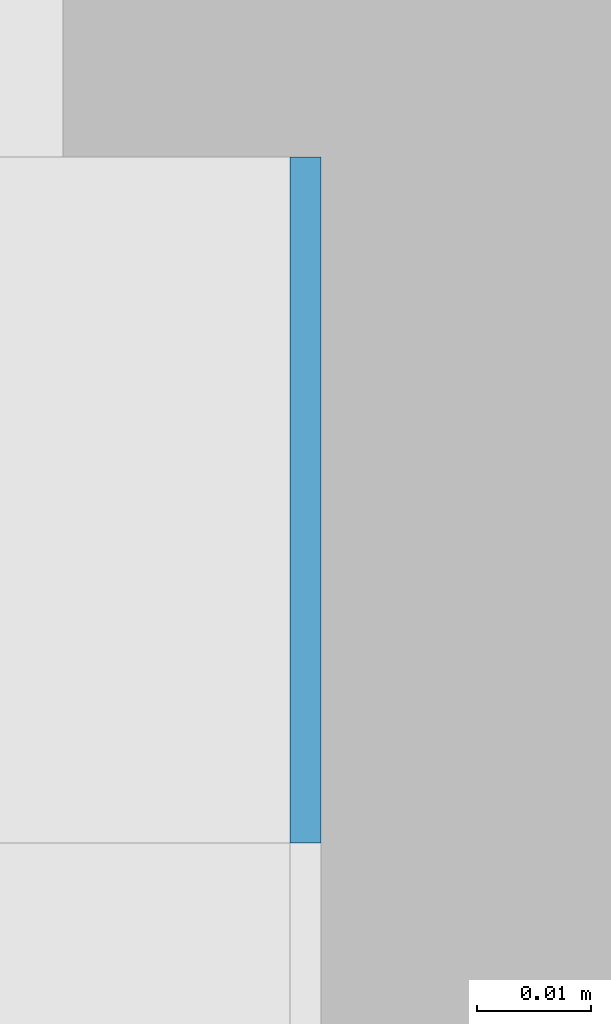
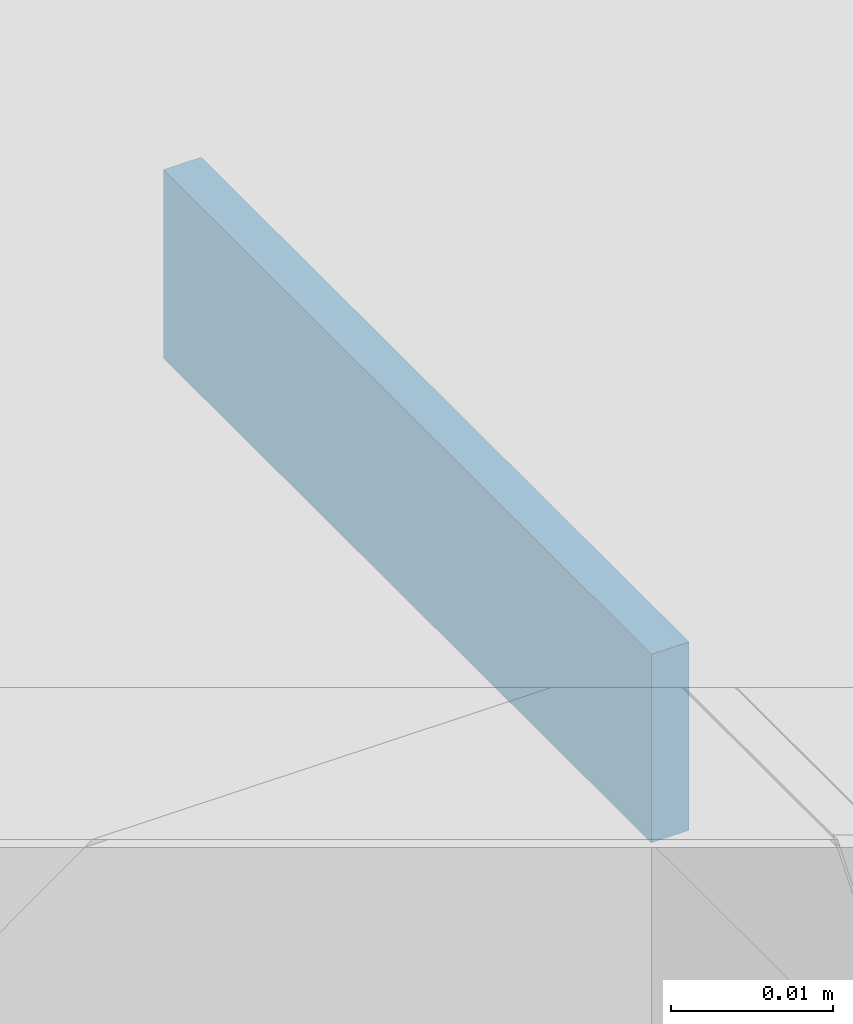
# One storey, part 333 of 646: 1 discrete accessory.
"""IFC4 building model written with IfcOpenShell, lengths in metres."""

from ifc_helpers import new_model, si_unit, direction, frame, origin, origin_2d, place, context, subcontext, project, spatial, rectangle, extrude, material, type_object, element, save


model = new_model("IFC4")

# Units and contexts
model_context = context("Model", 3, precision=1e-05, world=origin(), true_north=direction((0.0, 1.0)))
body_context = subcontext(model_context, "Body", "Model", "MODEL_VIEW")
ifc_project = project(units=[si_unit("LENGTHUNIT", "METRE"), si_unit("AREAUNIT", "SQUARE_METRE"), si_unit("VOLUMEUNIT", "CUBIC_METRE"), si_unit("PLANEANGLEUNIT", "RADIAN"), si_unit("MASSUNIT", "GRAM", prefix="KILO")], contexts=[model_context])

# Site, building, storey
site_placement = place(None, origin())
site = spatial("IfcSite", under=ifc_project, at=site_placement, CompositionType="ELEMENT")
building_placement = place(site_placement, origin())
building = spatial("IfcBuilding", under=site, at=building_placement, Name="Silverbay Arena", CompositionType="ELEMENT")
storey_placement = place(building_placement, frame((0.0, 0.0, 33.5)))
storey = spatial("IfcBuildingStorey", under=building, at=storey_placement, Name="L05", CompositionType="ELEMENT", Elevation=33.5)

# Discrete accessory
ifc_material = material(Name="Steel S355", Category="steel")
discrete_accessory_type = type_object("IfcDiscreteAccessoryType", Name="Steel bracket plate", PredefinedType="BRACKET", material=ifc_material)
discrete_accessory_placement = place(storey_placement, frame((53.871337890625, 81.030029296875, 12.98583984375), z_axis=(0.0, 0.0, 1.0), x_axis=(1.0, 0.0, 0.0)))
element("IfcDiscreteAccessory", 1, at=discrete_accessory_placement, inside=storey, type_object=discrete_accessory_type, Name="Curtain wall packing plate", PredefinedType="BRACKET", context=body_context, shape_type="SweptSolid", body=[
    extrude(rectangle(XDim=0.002685546875, YDim=0.06005859375, at=origin_2d()), origin(), (0.0, 0.0, 1.0), 0.01416015625),
])

save(model, "model.ifc")
